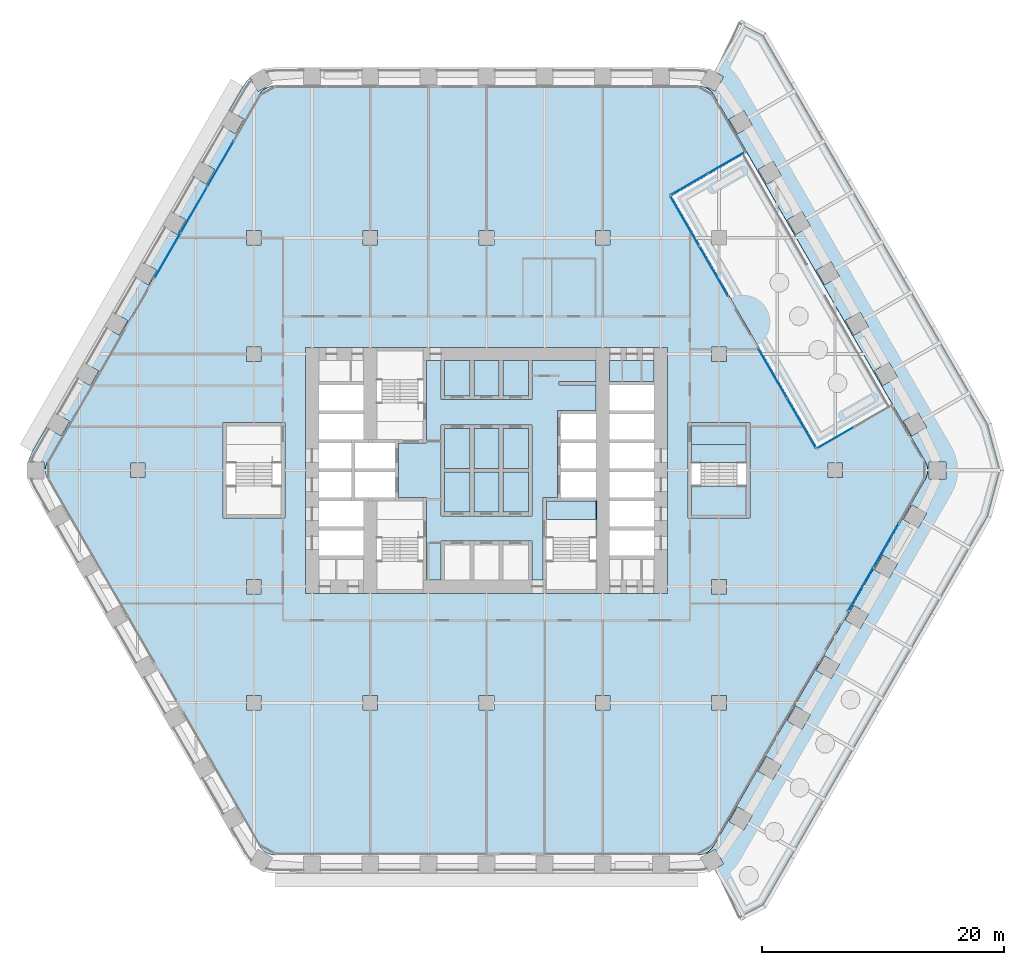
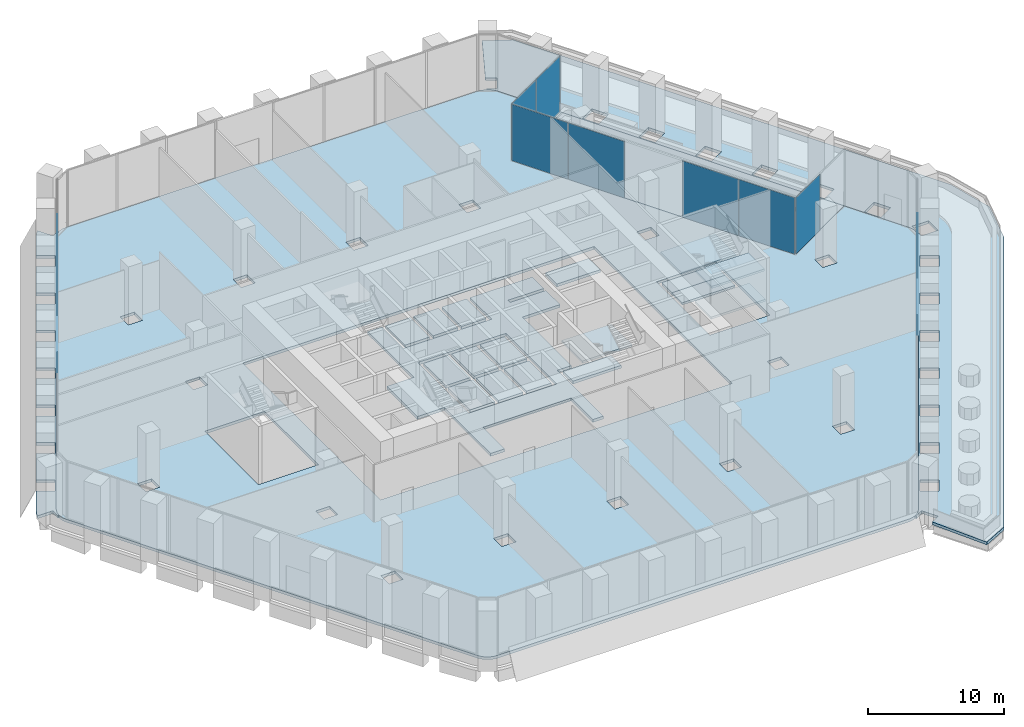
# One storey, part 18 of 32: 22 slabs, 12 plates, 8 elements without a shape of their own.
"""IFC4 building model written with IfcOpenShell, lengths in metres."""

import ifcopenshell
import ifcopenshell.guid

model = None  # the IFC model being written
_history = None  # IfcOwnerHistory: only IFC2X3 demands one
_inside = {}  # id of a spatial element -> (the spatial element, [elements in it])
_under = {}  # id of a project, library or spatial element -> (it, [spatial elements below it])
_declared = {}  # id of a project -> (the project, [libraries it declares])
_typed = {}  # id of a type object -> (the type object, [elements of that type])
_made_of = {}  # id of a material, layer set ... -> (it, [elements and type objects made of it])


def new_model(schema):
    """Start an empty IFC model of exactly this schema.

    Asked for "IFC4X3", IfcOpenShell would pick the latest addendum, in which some entities
    have other attributes; the version numbers below select the first issue.
    IFC2X3 requires an IfcOwnerHistory on every rooted entity: one is made here for all.
    """
    global model, _history
    if schema == "IFC4X3":
        model = ifcopenshell.file(schema_version=(4, 3, 0, 0))
    else:
        model = ifcopenshell.file(schema=schema)
    _inside.clear()
    _under.clear()
    _declared.clear()
    _typed.clear()
    _made_of.clear()
    _history = None
    if model.schema == "IFC2X3":
        org = make("IfcOrganization", Name="unknown")
        user = make(
            "IfcPersonAndOrganization",
            ThePerson=make("IfcPerson", FamilyName="unknown"),
            TheOrganization=org,
        )
        app = make(
            "IfcApplication",
            ApplicationDeveloper=org,
            Version="unknown",
            ApplicationFullName="unknown",
            ApplicationIdentifier="unknown",
        )
        _history = make(
            "IfcOwnerHistory",
            OwningUser=user,
            OwningApplication=app,
            ChangeAction="ADDED",
            CreationDate=0,
        )
    return model


def make(cls, **values):
    """One entity of the class cls with the attributes given. An attribute that is None is left unset."""
    return model.create_entity(
        cls, **{name: value for name, value in values.items() if value is not None}
    )


def rooted(cls, **values):
    """An entity with a GlobalId (a new one), such as an element, a storey or a relation."""
    return make(cls, GlobalId=ifcopenshell.guid.new(), OwnerHistory=_history, **values)


def si_unit(unit_type, name, prefix=None):
    """IfcSIUnit, for example si_unit("LENGTHUNIT", "METRE", prefix="MILLI")."""
    return make("IfcSIUnit", UnitType=unit_type, Prefix=prefix, Name=name)


def assignment(units):
    """IfcUnitAssignment: the units of a project."""
    return None if units is None else make("IfcUnitAssignment", Units=units)


def point(xyz):
    """IfcCartesianPoint."""
    return None if xyz is None else make("IfcCartesianPoint", Coordinates=xyz)


def direction(xyz):
    """IfcDirection."""
    return None if xyz is None else make("IfcDirection", DirectionRatios=xyz)


def frame(location, z_axis=None, x_axis=None):
    """IfcAxis2Placement3D, a coordinate frame: its origin and axes. An axis left out is left unset."""
    return make(
        "IfcAxis2Placement3D",
        Location=point(location),
        Axis=direction(z_axis),
        RefDirection=direction(x_axis),
    )


def frame_2d(location, x_axis=None):
    """IfcAxis2Placement2D, a coordinate frame in the plane: its origin and x axis."""
    return make(
        "IfcAxis2Placement2D", Location=point(location), RefDirection=direction(x_axis)
    )


def origin():
    """The frame at (0, 0, 0) with its axes left unset."""
    return frame((0.0, 0.0, 0.0))


def origin_2d():
    """The frame at (0, 0) in the plane with its x axis left unset."""
    return frame_2d((0.0, 0.0))


def place(relative_to, where):
    """IfcLocalPlacement: puts the frame where relative to a parent placement (None: the world)."""
    return make(
        "IfcLocalPlacement", PlacementRelTo=relative_to, RelativePlacement=where
    )


def context(
    kind, dimensions, precision=None, world=None, true_north=None, identifier=None
):
    """IfcGeometricRepresentationContext, for example the 3D "Model" context."""
    return make(
        "IfcGeometricRepresentationContext",
        ContextIdentifier=identifier,
        ContextType=kind,
        CoordinateSpaceDimension=dimensions,
        Precision=precision,
        WorldCoordinateSystem=world,
        TrueNorth=true_north,
    )


def subcontext(parent, identifier, kind, view, scale=None):
    """IfcGeometricRepresentationSubContext, for example "Body" below "Model"."""
    return make(
        "IfcGeometricRepresentationSubContext",
        ContextIdentifier=identifier,
        ContextType=kind,
        ParentContext=parent,
        TargetScale=scale,
        TargetView=view,
    )


def project(units=None, contexts=None):
    """IfcProject with its units and contexts."""
    return rooted(
        "IfcProject",
        Name="project",
        RepresentationContexts=contexts,
        UnitsInContext=assignment(units),
    )


def spatial(cls, under=None, at=None, **own):
    """A site, building, storey or space (cls), placed at a placement, below another one or the project."""
    s = rooted(cls, ObjectPlacement=at, **own)
    if under is not None:
        _under.setdefault(under.id(), (under, []))[1].append(s)
    return s


def polyline(points):
    """IfcPolyline through the points."""
    return make("IfcPolyline", Points=[point(p) for p in points])


def profile(cls, at=None, kind="AREA", **sizes):
    """A parametric profile (cls). Its sizes go by their IFC names, for example OverallWidth=200.0."""
    return make(cls, ProfileType=kind, Position=at, **sizes)


def rectangle(**sizes):
    """IfcRectangleProfileDef."""
    return profile("IfcRectangleProfileDef", **sizes)


def outline(outer, holes=None, kind="AREA"):
    """IfcArbitraryClosedProfileDef: a profile drawn as a closed curve; with holes, ...WithVoids."""
    if holes is None:
        return make("IfcArbitraryClosedProfileDef", ProfileType=kind, OuterCurve=outer)
    return make(
        "IfcArbitraryProfileDefWithVoids",
        ProfileType=kind,
        OuterCurve=outer,
        InnerCurves=holes,
    )


def extrude(swept, where, along, depth):
    """IfcExtrudedAreaSolid: the profile swept, set in the frame where, extruded along a direction by depth."""
    return make(
        "IfcExtrudedAreaSolid",
        SweptArea=swept,
        Position=where,
        ExtrudedDirection=direction(along),
        Depth=depth,
    )


def shape(context_of_items, identifier, shape_type, items):
    """IfcShapeRepresentation: the items that make up one representation, for example the "Body"."""
    return make(
        "IfcShapeRepresentation",
        ContextOfItems=context_of_items,
        RepresentationIdentifier=identifier,
        RepresentationType=shape_type,
        Items=items,
    )


def material(Name=None, Category=None):
    """IfcMaterial."""
    return make("IfcMaterial", Name=Name, Category=Category)


def layer(
    of_material, thickness, ventilated=None, Name=None, Category=None, Priority=None
):
    """IfcMaterialLayer: one layer of a wall or slab, of a material (None: an air gap)."""
    return make(
        "IfcMaterialLayer",
        Material=of_material,
        LayerThickness=thickness,
        IsVentilated=ventilated,
        Name=Name,
        Category=Category,
        Priority=Priority,
    )


def layer_set(layers, Name=None):
    """IfcMaterialLayerSet."""
    return make("IfcMaterialLayerSet", MaterialLayers=layers, LayerSetName=Name)


def made_of(thing, what):
    """Note that an element or type object is made of a material, layer set ...; save() writes the relation."""
    if what is not None:
        _made_of.setdefault(what.id(), (what, []))[1].append(thing)
    return thing


def type_object(cls, material=None, **own):
    """A type object (cls), such as IfcWallType, which elements share."""
    return made_of(rooted(cls, **own), material)


def element(
    cls,
    number,
    at=None,
    inside=None,
    cuts=None,
    type_object=None,
    material=None,
    context=None,
    identifier="Body",
    shape_type=None,
    held_by="IfcProductDefinitionShape",
    body=None,
    shapes=None,
    **own,
):
    """One element of the class cls, such as IfcWall. Its Tag is "e" and its number.

    at: its placement. inside: the storey or other place that contains it. cuts: it is an
    opening in that element (IfcRelVoidsElement). A single representation is given by context,
    identifier, shape_type and body (its items); several are given by shapes. held_by: the class
    of the entity that holds the representations. save() writes the other relations.
    """
    e = rooted(cls, Tag="e%d" % number, ObjectPlacement=at, **own)
    if body is not None:
        shapes = [shape(context, identifier, shape_type, body)]
    if shapes is not None:
        e.Representation = make(held_by, Representations=shapes)
    if inside is not None:
        _inside.setdefault(inside.id(), (inside, []))[1].append(e)
    if cuts is not None:
        rooted(
            "IfcRelVoidsElement", RelatingBuildingElement=cuts, RelatedOpeningElement=e
        )
    if type_object is not None:
        _typed.setdefault(type_object.id(), (type_object, []))[1].append(e)
    return made_of(e, material)


def aggregate(whole, parts):
    """IfcRelAggregates: a whole, such as a stair, and the parts it consists of."""
    return rooted("IfcRelAggregates", RelatingObject=whole, RelatedObjects=parts)


def save(model, path):
    """Write the relations noted so far, then the file.

    IfcRelAggregates (storeys below a building ...), IfcRelContainedInSpatialStructure (elements
    in a storey), IfcRelDefinesByType, IfcRelAssociatesMaterial and IfcRelDeclares: one each for
    every whole, place, type object, material and project.
    """
    for whole, parts in _under.values():
        aggregate(whole, parts)
    for where, things in _inside.values():
        rooted(
            "IfcRelContainedInSpatialStructure",
            RelatedElements=things,
            RelatingStructure=where,
        )
    for kind, things in _typed.values():
        rooted("IfcRelDefinesByType", RelatedObjects=things, RelatingType=kind)
    for what, things in _made_of.values():
        rooted("IfcRelAssociatesMaterial", RelatedObjects=things, RelatingMaterial=what)
    for by, libraries in _declared.values():
        rooted("IfcRelDeclares", RelatingContext=by, RelatedDefinitions=libraries)
    model.write(path)


model = new_model("IFC4")

# Units and contexts
model_context = context("Model", 3, precision=1e-05, world=origin(), true_north=direction((0.0, 1.0)))
body_context = subcontext(model_context, "Body", "Model", "MODEL_VIEW")
ifc_project = project(units=[si_unit("LENGTHUNIT", "METRE"), si_unit("AREAUNIT", "SQUARE_METRE"), si_unit("VOLUMEUNIT", "CUBIC_METRE"), si_unit("PLANEANGLEUNIT", "RADIAN"), si_unit("MASSUNIT", "GRAM", prefix="KILO")], contexts=[model_context])

# Site, building, storey
site_placement = place(None, origin())
site = spatial("IfcSite", under=ifc_project, at=site_placement, CompositionType="ELEMENT")
building_placement = place(site_placement, origin())
building = spatial("IfcBuilding", under=site, at=building_placement, Name="Kolab Exchange Tower", CompositionType="ELEMENT")
storey_placement = place(building_placement, frame((0.0, 0.0, 60.89990234375)))
storey = spatial("IfcBuildingStorey", under=building, at=storey_placement, Name="L11", CompositionType="ELEMENT", Elevation=60.89990234375)

# Slabs
ifc_material_1 = material(Name="Concrete C35/45", Category="concrete")
ifc_layer_1 = layer(ifc_material_1, 0.25)
ifc_layer_set_1 = layer_set([ifc_layer_1], Name="Concrete C35/45")
slab_type_1 = type_object("IfcSlabType", Name="FLOOR SLAB 250", PredefinedType="FLOOR", material=ifc_layer_set_1)
slab_1_placement = place(storey_placement, frame((0.0, 0.0, -0.25)))
element("IfcSlab", 1, at=slab_1_placement, inside=storey, type_object=slab_type_1, Name="slab/L11/floor/0", PredefinedType="FLOOR", context=body_context, shape_type="SweptSolid", body=[
    extrude(outline(polyline([(36.23486328125, 0.75), (33.5009765625, 5.4853515625), (27.265625, 1.885498046875), (15.265625, 22.669921875), (21.5009765625, 26.27001953125), (18.76708984375, 31.00537109375), (18.616943359375, 31.219482421875), (18.43212890625, 31.404541015625), (18.218017578125, 31.554443359375), (17.98095703125, 31.664794921875), (17.728515625, 31.732666015625), (17.468017578125, 31.75537109375), (-17.468017578125, 31.75537109375), (-17.728515625, 31.732666015625), (-17.98095703125, 31.664794921875), (-18.218017578125, 31.554443359375), (-18.43212890625, 31.404541015625), (-18.616943359375, 31.219482421875), (-18.76708984375, 31.00537109375), (-36.23486328125, 0.75), (-36.345458984375, 0.512939453125), (-36.4130859375, 0.260498046875), (-36.435791015625, 0.0), (-36.4130859375, -0.260498046875), (-36.345458984375, -0.512939453125), (-36.23486328125, -0.75), (-18.76708984375, -31.00537109375), (-18.616943359375, -31.219482421875), (-18.43212890625, -31.404541015625), (-18.218017578125, -31.554443359375), (-17.98095703125, -31.664794921875), (-17.728515625, -31.732666015625), (-17.468017578125, -31.75537109375), (17.468017578125, -31.75537109375), (17.728515625, -31.732666015625), (17.98095703125, -31.664794921875), (18.218017578125, -31.554443359375), (18.43212890625, -31.404541015625), (18.616943359375, -31.219482421875), (18.76708984375, -31.00537109375), (36.23486328125, -0.75), (36.345458984375, -0.512939453125), (36.4130859375, -0.260498046875), (36.435791015625, 0.0), (36.4130859375, 0.260498046875), (36.345458984375, 0.512939453125), (36.23486328125, 0.75)]), holes=[polyline([(-19.800048828125, -18.60009765625), (-18.60009765625, -18.60009765625), (-18.60009765625, -19.800048828125), (-19.800048828125, -19.800048828125), (-19.800048828125, -18.60009765625)]), polyline([(-18.60009765625, -9.0), (-18.60009765625, -10.199951171875), (-19.800048828125, -10.199951171875), (-19.800048828125, -9.0), (-18.60009765625, -9.0)]), polyline([(-21.75, -3.949951171875), (-21.75, 3.949951171875), (-21.449951171875, 3.949951171875), (-16.949951171875, 3.949951171875), (-16.64990234375, 3.949951171875), (-16.64990234375, -3.949951171875), (-16.949951171875, -3.949951171875), (-21.449951171875, -3.949951171875), (-21.75, -3.949951171875)]), polyline([(-14.949951171875, 10.14990234375), (-13.85009765625, 10.14990234375), (-10.14990234375, 10.14990234375), (-9.050048828125, 10.14990234375), (-5.25, 10.14990234375), (9.050048828125, 10.14990234375), (10.14990234375, 10.14990234375), (13.85009765625, 10.14990234375), (14.949951171875, 10.14990234375), (14.949951171875, -10.14990234375), (13.85009765625, -10.14990234375), (10.14990234375, -10.14990234375), (9.050048828125, -10.14990234375), (4.949951171875, -10.14990234375), (-5.25, -10.14990234375), (-9.050048828125, -10.14990234375), (-10.14990234375, -10.14990234375), (-13.85009765625, -10.14990234375), (-14.949951171875, -10.14990234375), (-14.949951171875, 10.14990234375)]), polyline([(-28.199951171875, 0.60009765625), (-28.199951171875, -0.60009765625), (-29.39990234375, -0.60009765625), (-29.39990234375, 0.60009765625), (-28.199951171875, 0.60009765625)]), polyline([(-18.60009765625, 10.199951171875), (-18.60009765625, 9.0), (-19.800048828125, 9.0), (-19.800048828125, 10.199951171875), (-18.60009765625, 10.199951171875)]), polyline([(-19.800048828125, 19.800048828125), (-18.60009765625, 19.800048828125), (-18.60009765625, 18.60009765625), (-19.800048828125, 18.60009765625), (-19.800048828125, 19.800048828125)]), polyline([(-9.0, -18.60009765625), (-9.0, -19.800048828125), (-10.199951171875, -19.800048828125), (-10.199951171875, -18.60009765625), (-9.0, -18.60009765625)]), polyline([(-9.0, 19.800048828125), (-9.0, 18.60009765625), (-10.199951171875, 18.60009765625), (-10.199951171875, 19.800048828125), (-9.0, 19.800048828125)]), polyline([(0.60009765625, -18.60009765625), (0.60009765625, -19.800048828125), (-0.60009765625, -19.800048828125), (-0.60009765625, -18.60009765625), (0.60009765625, -18.60009765625)]), polyline([(0.60009765625, 19.800048828125), (0.60009765625, 18.60009765625), (-0.60009765625, 18.60009765625), (-0.60009765625, 19.800048828125), (0.60009765625, 19.800048828125)]), polyline([(10.199951171875, -18.60009765625), (10.199951171875, -19.800048828125), (9.0, -19.800048828125), (9.0, -18.60009765625), (10.199951171875, -18.60009765625)]), polyline([(9.0, 19.800048828125), (10.199951171875, 19.800048828125), (10.199951171875, 18.60009765625), (9.0, 18.60009765625), (9.0, 19.800048828125)]), polyline([(19.800048828125, -18.60009765625), (19.800048828125, -19.800048828125), (18.60009765625, -19.800048828125), (18.60009765625, -18.60009765625), (19.800048828125, -18.60009765625)]), polyline([(19.800048828125, -9.0), (19.800048828125, -10.199951171875), (18.60009765625, -10.199951171875), (18.60009765625, -9.0), (19.800048828125, -9.0)]), polyline([(16.949951171875, -3.949951171875), (16.64990234375, -3.949951171875), (16.64990234375, 3.949951171875), (16.949951171875, 3.949951171875), (21.449951171875, 3.949951171875), (21.75, 3.949951171875), (21.75, -3.949951171875), (21.449951171875, -3.949951171875), (16.949951171875, -3.949951171875)]), polyline([(29.39990234375, 0.60009765625), (29.39990234375, -0.60009765625), (28.199951171875, -0.60009765625), (28.199951171875, 0.60009765625), (29.39990234375, 0.60009765625)]), polyline([(18.60009765625, 10.199951171875), (19.800048828125, 10.199951171875), (19.800048828125, 9.0), (18.60009765625, 9.0), (18.60009765625, 10.199951171875)])]), origin(), (0.0, 0.0, 1.0), 0.25),
])
slab_2_placement = place(storey_placement, frame((0.0, 0.0, -0.25)))
element("IfcSlab", 2, at=slab_2_placement, inside=storey, type_object=slab_type_1, Name="slab/L11/floor/1", PredefinedType="FLOOR", context=body_context, shape_type="SweptSolid", body=[
    extrude(outline(polyline([(-5.25, 2.25), (-7.25, 2.25), (-7.25, -2.25), (-5.25, -2.25), (-4.949951171875, -2.25), (-4.949951171875, -9.050048828125), (-3.75, -9.050048828125), (-3.75, -5.85009765625), (-3.449951171875, -5.85009765625), (-1.35009765625, -5.85009765625), (-1.050048828125, -5.85009765625), (1.050048828125, -5.85009765625), (1.35009765625, -5.85009765625), (3.449951171875, -5.85009765625), (3.75, -5.85009765625), (3.75, -9.050048828125), (4.64990234375, -9.050048828125), (4.64990234375, -2.25), (4.949951171875, -2.25), (5.85009765625, -2.25), (5.85009765625, 4.949951171875), (6.14990234375, 4.949951171875), (9.050048828125, 4.949951171875), (9.050048828125, 7.050048828125), (6.0, 7.050048828125), (6.0, 7.35009765625), (9.050048828125, 7.35009765625), (9.050048828125, 9.050048828125), (3.75, 9.050048828125), (3.75, 5.85009765625), (3.449951171875, 5.85009765625), (1.35009765625, 5.85009765625), (1.050048828125, 5.85009765625), (-1.050048828125, 5.85009765625), (-1.35009765625, 5.85009765625), (-3.449951171875, 5.85009765625), (-3.75, 5.85009765625), (-3.75, 9.050048828125), (-4.949951171875, 9.050048828125), (-4.949951171875, 2.25), (-5.25, 2.25)]), holes=[polyline([(-1.35009765625, 3.75), (-1.050048828125, 3.75), (1.050048828125, 3.75), (1.35009765625, 3.75), (3.449951171875, 3.75), (3.75, 3.75), (3.75, -3.75), (3.449951171875, -3.75), (1.35009765625, -3.75), (1.050048828125, -3.75), (-1.050048828125, -3.75), (-1.35009765625, -3.75), (-3.449951171875, -3.75), (-3.75, -3.75), (-3.75, 3.75), (-3.449951171875, 3.75), (-1.35009765625, 3.75)])]), origin(), (0.0, 0.0, 1.0), 0.25),
])
slab_3_placement = place(storey_placement, frame((0.0, 0.0, -0.25)))
element("IfcSlab", 3, at=slab_3_placement, inside=storey, type_object=slab_type_1, Name="slab/L11/floor/2", PredefinedType="FLOOR", context=body_context, shape_type="SweptSolid", body=[
    extrude(outline(polyline([(-3.449951171875, -3.449951171875), (-1.35009765625, -3.449951171875), (-1.35009765625, -0.14990234375), (-3.449951171875, -0.14990234375), (-3.449951171875, -3.449951171875)])), origin(), (0.0, 0.0, 1.0), 0.25),
])
slab_4_placement = place(storey_placement, frame((0.0, 0.0, -0.25)))
element("IfcSlab", 4, at=slab_4_placement, inside=storey, type_object=slab_type_1, Name="slab/L11/floor/3", PredefinedType="FLOOR", context=body_context, shape_type="SweptSolid", body=[
    extrude(outline(polyline([(-1.35009765625, 0.14990234375), (-1.35009765625, 3.449951171875), (-3.449951171875, 3.449951171875), (-3.449951171875, 0.14990234375), (-1.35009765625, 0.14990234375)])), origin(), (0.0, 0.0, 1.0), 0.25),
])
slab_5_placement = place(storey_placement, frame((0.0, 0.0, -0.25)))
element("IfcSlab", 5, at=slab_5_placement, inside=storey, type_object=slab_type_1, Name="slab/L11/floor/4", PredefinedType="FLOOR", context=body_context, shape_type="SweptSolid", body=[
    extrude(outline(polyline([(-1.050048828125, -0.14990234375), (-1.050048828125, -3.449951171875), (1.050048828125, -3.449951171875), (1.050048828125, -0.14990234375), (-1.050048828125, -0.14990234375)])), origin(), (0.0, 0.0, 1.0), 0.25),
])
slab_6_placement = place(storey_placement, frame((0.0, 0.0, -0.25)))
element("IfcSlab", 6, at=slab_6_placement, inside=storey, type_object=slab_type_1, Name="slab/L11/floor/5", PredefinedType="FLOOR", context=body_context, shape_type="SweptSolid", body=[
    extrude(outline(polyline([(-1.050048828125, 3.449951171875), (-1.050048828125, 0.14990234375), (1.050048828125, 0.14990234375), (1.050048828125, 3.449951171875), (-1.050048828125, 3.449951171875)])), origin(), (0.0, 0.0, 1.0), 0.25),
])
slab_7_placement = place(storey_placement, frame((0.0, 0.0, -0.25)))
element("IfcSlab", 7, at=slab_7_placement, inside=storey, type_object=slab_type_1, Name="slab/L11/floor/6", PredefinedType="FLOOR", context=body_context, shape_type="SweptSolid", body=[
    extrude(outline(polyline([(1.35009765625, -3.449951171875), (3.449951171875, -3.449951171875), (3.449951171875, -0.14990234375), (1.35009765625, -0.14990234375), (1.35009765625, -3.449951171875)])), origin(), (0.0, 0.0, 1.0), 0.25),
])
slab_8_placement = place(storey_placement, frame((0.0, 0.0, -0.25)))
element("IfcSlab", 8, at=slab_8_placement, inside=storey, type_object=slab_type_1, Name="slab/L11/floor/7", PredefinedType="FLOOR", context=body_context, shape_type="SweptSolid", body=[
    extrude(outline(polyline([(1.35009765625, 0.14990234375), (3.449951171875, 0.14990234375), (3.449951171875, 3.449951171875), (1.35009765625, 3.449951171875), (1.35009765625, 0.14990234375)])), origin(), (0.0, 0.0, 1.0), 0.25),
])
slab_9_placement = place(storey_placement, frame((0.0, 0.0, -0.25)))
element("IfcSlab", 9, at=slab_9_placement, inside=storey, type_object=slab_type_1, Name="slab/L11/floor/9", PredefinedType="FLOOR", context=body_context, shape_type="SweptSolid", body=[
    extrude(outline(polyline([(21.449951171875, 3.64990234375), (16.949951171875, 3.64990234375), (16.949951171875, 2.14990234375), (21.449951171875, 2.14990234375), (21.449951171875, 3.64990234375)])), origin(), (0.0, 0.0, 1.0), 0.25),
])
slab_10_placement = place(storey_placement, frame((0.0, 0.0, -0.25)))
element("IfcSlab", 10, at=slab_10_placement, inside=storey, type_object=slab_type_1, Name="slab/L11/floor/13", PredefinedType="FLOOR", context=body_context, shape_type="SweptSolid", body=[
    extrude(outline(polyline([(10.14990234375, 7.35009765625), (13.85009765625, 7.35009765625), (13.85009765625, 9.050048828125), (10.14990234375, 9.050048828125), (10.14990234375, 7.35009765625)])), origin(), (0.0, 0.0, 1.0), 0.25),
])
slab_11_placement = place(storey_placement, frame((0.0, 0.0, -0.25)))
element("IfcSlab", 11, at=slab_11_placement, inside=storey, type_object=slab_type_1, Name="slab/L11/floor/14", PredefinedType="FLOOR", context=body_context, shape_type="SweptSolid", body=[
    extrude(outline(polyline([(9.050048828125, -4.050048828125), (9.050048828125, -2.550048828125), (6.14990234375, -2.550048828125), (5.85009765625, -2.550048828125), (4.949951171875, -2.550048828125), (4.949951171875, -4.050048828125), (9.050048828125, -4.050048828125)])), origin(), (0.0, 0.0, 1.0), 0.25),
])
slab_12_placement = place(storey_placement, frame((0.0, 0.0, -0.25)))
element("IfcSlab", 12, at=slab_12_placement, inside=storey, type_object=slab_type_1, Name="slab/L11/floor/16", PredefinedType="FLOOR", context=body_context, shape_type="SweptSolid", body=[
    extrude(outline(polyline([(-1.050048828125, 9.050048828125), (-1.050048828125, 6.14990234375), (1.050048828125, 6.14990234375), (1.050048828125, 9.050048828125), (-1.050048828125, 9.050048828125)])), origin(), (0.0, 0.0, 1.0), 0.25),
])
slab_13_placement = place(storey_placement, frame((0.0, 0.0, -0.25)))
element("IfcSlab", 13, at=slab_13_placement, inside=storey, type_object=slab_type_1, Name="slab/L11/floor/18", PredefinedType="FLOOR", context=body_context, shape_type="SweptSolid", body=[
    extrude(outline(polyline([(-1.35009765625, 6.14990234375), (-1.35009765625, 9.050048828125), (-3.449951171875, 9.050048828125), (-3.449951171875, 6.14990234375), (-1.35009765625, 6.14990234375)])), origin(), (0.0, 0.0, 1.0), 0.25),
])
slab_14_placement = place(storey_placement, frame((0.0, 0.0, -0.25)))
element("IfcSlab", 14, at=slab_14_placement, inside=storey, type_object=slab_type_1, Name="slab/L11/floor/20", PredefinedType="FLOOR", context=body_context, shape_type="SweptSolid", body=[
    extrude(outline(polyline([(1.35009765625, 6.14990234375), (3.449951171875, 6.14990234375), (3.449951171875, 9.050048828125), (1.35009765625, 9.050048828125), (1.35009765625, 6.14990234375)])), origin(), (0.0, 0.0, 1.0), 0.25),
])
ifc_layer_2 = layer(ifc_material_1, 0.25)
ifc_layer_set_2 = layer_set([ifc_layer_2], Name="Concrete C35/45")
slab_type_2 = type_object("IfcSlabType", Name="LOGGIA SLAB 250", PredefinedType="FLOOR", material=ifc_layer_set_2)
slab_15_placement = place(storey_placement, frame((0.0, 0.0, -0.25)))
element("IfcSlab", 15, at=slab_15_placement, inside=storey, type_object=slab_type_2, Name="slab/L11/loggia/5-0", PredefinedType="FLOOR", context=body_context, shape_type="SweptSolid", body=[
    extrude(outline(polyline([(-18.43212890625, 31.404541015625), (-18.218017578125, 31.554443359375), (-18.26806640625, 31.64111328125), (-18.874267578125, 31.291015625), (-19.52734375, 32.42236328125), (-19.76611328125, 32.183837890625), (-20.06591796875, 31.75537109375), (-21.25, 29.70458984375), (-20.03759765625, 29.004638671875), (-20.737548828125, 27.792236328125), (-21.949951171875, 28.4921875), (-23.64990234375, 25.5478515625), (-22.4375, 24.84765625), (-23.137451171875, 23.63525390625), (-24.35009765625, 24.335205078125), (-26.050048828125, 21.390869140625), (-24.837646484375, 20.69091796875), (-25.53759765625, 19.478271484375), (-26.75, 20.178466796875), (-28.449951171875, 17.23388671875), (-27.237548828125, 16.533935546875), (-27.9375, 15.321533203125), (-29.14990234375, 16.021484375), (-30.85009765625, 13.076904296875), (-29.637451171875, 12.376953125), (-30.337646484375, 11.16455078125), (-31.550048828125, 11.864501953125), (-33.25, 8.920166015625), (-32.03759765625, 8.219970703125), (-32.737548828125, 7.007568359375), (-33.949951171875, 7.70751953125), (-35.64990234375, 4.76318359375), (-34.4375, 4.063232421875), (-35.137451171875, 2.8505859375), (-36.35009765625, 3.55078125), (-37.533935546875, 1.5), (-37.7548828125, 1.026123046875), (-37.84228515625, 0.699951171875), (-36.535888671875, 0.699951171875), (-36.535888671875, 0.0), (-36.435791015625, 0.0), (-36.4130859375, 0.260498046875), (-36.345458984375, 0.512939453125), (-36.23486328125, 0.75), (-18.76708984375, 31.00537109375), (-18.616943359375, 31.219482421875), (-18.43212890625, 31.404541015625)])), origin(), (0.0, 0.0, 1.0), 0.25),
])

# Stair, slab
ifc_material_2 = material(Name="Concrete C50/60", Category="concrete")
stair_type_1 = type_object("IfcStairType", Name="STAIR ST2 RISER 171.9", PredefinedType="DOUBLE_RETURN_STAIR", material=ifc_material_2)
stair_1_placement = place(storey_placement, origin())
stair_1 = element("IfcStair", 16, at=stair_1_placement, inside=storey, type_object=stair_type_1, Name="Stair 2", PredefinedType="DOUBLE_RETURN_STAIR")
ifc_layer_3 = layer(ifc_material_2, 0.199951171875)
ifc_layer_set_3 = layer_set([ifc_layer_3], Name="Concrete C50/60")
slab_type_3 = type_object("IfcSlabType", Name="STAIR LANDING 200", PredefinedType="LANDING", material=ifc_layer_set_3)
slab_16_placement = place(storey_placement, frame((0.0, 0.0, 2.550048828125)))
slab_16 = element("IfcSlab", 17, at=slab_16_placement, type_object=slab_type_3, Name="ST2 landing 3", PredefinedType="LANDING", context=body_context, shape_type="SweptSolid", body=[
    extrude(outline(polyline([(4.889892578125, -5.550048828125), (9.110107421875, -5.550048828125), (9.110107421875, -2.489990234375), (4.889892578125, -2.489990234375), (4.889892578125, -5.550048828125)])), origin(), (0.0, 0.0, 1.0), 0.199951171875),
])
aggregate(stair_1, [slab_16])

# Stair, slabs
stair_type_2 = type_object("IfcStairType", Name="STAIR ST4 RISER 171.9", PredefinedType="DOUBLE_RETURN_STAIR", material=ifc_material_2)
stair_2_placement = place(storey_placement, origin())
stair_2 = element("IfcStair", 18, at=stair_2_placement, inside=storey, type_object=stair_type_2, Name="Stair 4", PredefinedType="DOUBLE_RETURN_STAIR")
slab_17_placement = place(storey_placement, frame((0.0, 0.0, -0.199951171875)))
slab_17 = element("IfcSlab", 19, at=slab_17_placement, type_object=slab_type_3, Name="ST4 landing 1", PredefinedType="LANDING", context=body_context, shape_type="SweptSolid", body=[
    extrude(outline(polyline([(16.949951171875, 0.64990234375), (21.449951171875, 0.64990234375), (21.449951171875, 2.14990234375), (16.949951171875, 2.14990234375), (16.949951171875, 0.64990234375)])), origin(), (0.0, 0.0, 1.0), 0.199951171875),
])
slab_18_placement = place(storey_placement, frame((0.0, 0.0, 1.175048828125)))
slab_18 = element("IfcSlab", 20, at=slab_18_placement, type_object=slab_type_3, Name="ST4 landing 2", PredefinedType="LANDING", context=body_context, shape_type="SweptSolid", body=[
    extrude(outline(polyline([(16.889892578125, -3.7099609375), (21.510009765625, -3.7099609375), (21.510009765625, -1.31005859375), (16.889892578125, -1.31005859375), (16.889892578125, -3.7099609375)])), origin(), (0.0, 0.0, 1.0), 0.199951171875),
])
slab_19_placement = place(storey_placement, frame((0.0, 0.0, 2.550048828125)))
slab_19 = element("IfcSlab", 21, at=slab_19_placement, type_object=slab_type_3, Name="ST4 landing 3", PredefinedType="LANDING", context=body_context, shape_type="SweptSolid", body=[
    extrude(outline(polyline([(16.889892578125, 0.64990234375), (21.510009765625, 0.64990234375), (21.510009765625, 3.7099609375), (16.889892578125, 3.7099609375), (16.889892578125, 0.64990234375)])), origin(), (0.0, 0.0, 1.0), 0.199951171875),
])
slab_20_placement = place(storey_placement, frame((0.0, 0.0, 3.925048828125)))
slab_20 = element("IfcSlab", 22, at=slab_20_placement, type_object=slab_type_3, Name="ST4 landing 4", PredefinedType="LANDING", context=body_context, shape_type="SweptSolid", body=[
    extrude(outline(polyline([(16.949951171875, -3.7099609375), (21.449951171875, -3.7099609375), (21.449951171875, -1.31005859375), (16.949951171875, -1.31005859375), (16.949951171875, -3.7099609375)])), origin(), (0.0, 0.0, 1.0), 0.199951171875),
])
aggregate(stair_2, [slab_17, slab_18, slab_19, slab_20])

# Slabs
ifc_layer_4 = layer(ifc_material_1, 0.25)
ifc_layer_set_4 = layer_set([ifc_layer_4], Name="Concrete C35/45")
slab_type_4 = type_object("IfcSlabType", Name="TERRACE SLAB 250 PLANTED", PredefinedType="ROOF", material=ifc_layer_set_4)
slab_21_placement = place(storey_placement, frame((0.0, 0.0, -0.25)))
element("IfcSlab", 23, at=slab_21_placement, inside=storey, type_object=slab_type_4, Name="Roof terrace", PredefinedType="ROOF", context=body_context, shape_type="SweptSolid", body=[
    extrude(outline(polyline([(21.5009765625, 26.27001953125), (15.265625, 22.669921875), (27.265625, 1.885498046875), (33.5009765625, 5.4853515625), (21.5009765625, 26.27001953125)]), holes=[polyline([(18.60009765625, 19.800048828125), (19.800048828125, 19.800048828125), (19.800048828125, 18.60009765625), (18.60009765625, 18.60009765625), (18.60009765625, 19.800048828125)])]), origin(), (0.0, 0.0, 1.0), 0.25),
])
slab_22_placement = place(storey_placement, frame((0.0, 0.0, -0.25)))
element("IfcSlab", 24, at=slab_22_placement, inside=storey, type_object=slab_type_4, Name="Roof terrace", PredefinedType="ROOF", context=body_context, shape_type="SweptSolid", body=[
    extrude(outline(polyline([(18.14990234375, 31.586181640625), (18.2177734375, 31.554443359375), (18.218017578125, 31.554443359375), (18.218017578125, 31.55419921875), (18.431884765625, 31.404541015625), (18.43212890625, 31.404541015625), (18.432373046875, 31.404296875), (18.616943359375, 31.2197265625), (18.616943359375, 31.219482421875), (18.6171875, 31.219482421875), (18.766845703125, 31.00537109375), (18.76708984375, 31.00537109375), (36.23486328125, 0.75), (36.345458984375, 0.51318359375), (36.345458984375, 0.512939453125), (36.4130859375, 0.2607421875), (36.4130859375, 0.260498046875), (36.4130859375, 0.26025390625), (36.435791015625, 0.000244140625), (36.435791015625, 0.0), (36.435791015625, -0.000244140625), (36.4130859375, -0.26025390625), (36.4130859375, -0.260498046875), (36.4130859375, -0.2607421875), (36.345458984375, -0.512939453125), (36.345458984375, -0.51318359375), (36.23486328125, -0.75), (18.76708984375, -31.00537109375), (18.766845703125, -31.00537109375), (18.6171875, -31.219482421875), (18.616943359375, -31.219482421875), (18.616943359375, -31.2197265625), (18.432373046875, -31.404296875), (18.43212890625, -31.404541015625), (18.431884765625, -31.404541015625), (18.218017578125, -31.55419921875), (18.218017578125, -31.554443359375), (18.2177734375, -31.554443359375), (18.14990234375, -31.586181640625), (18.19873046875, -31.68115234375), (18.874267578125, -31.291015625), (19.57421875, -32.50341796875), (18.837890625, -32.928466796875), (21.021240234375, -37.1884765625), (23.081298828125, -36.1328125), (23.081298828125, -36.132568359375), (41.69091796875, -3.900146484375), (41.69091796875, -3.89990234375), (42.73583984375, 0.0), (41.69091796875, 3.89990234375), (41.69091796875, 3.900146484375), (23.081298828125, 36.132568359375), (23.081298828125, 36.1328125), (21.021240234375, 37.1884765625), (18.837890625, 32.928466796875), (19.57421875, 32.50341796875), (18.874267578125, 31.291015625), (18.19873046875, 31.68115234375), (18.14990234375, 31.586181640625)]), holes=[polyline([(20.03759765625, -29.004638671875), (20.737548828125, -27.792236328125), (21.949951171875, -28.4921875), (21.25, -29.70458984375), (20.03759765625, -29.004638671875)]), polyline([(22.4375, -24.84765625), (23.137451171875, -23.63525390625), (24.35009765625, -24.335205078125), (23.64990234375, -25.5478515625), (22.4375, -24.84765625)]), polyline([(25.53759765625, -19.478271484375), (26.75, -20.178466796875), (26.050048828125, -21.390869140625), (24.837646484375, -20.69091796875), (25.53759765625, -19.478271484375)]), polyline([(27.237548828125, -16.533935546875), (27.9375, -15.321533203125), (29.14990234375, -16.021484375), (28.449951171875, -17.23388671875), (27.237548828125, -16.533935546875)]), polyline([(30.337646484375, -11.16455078125), (31.550048828125, -11.864501953125), (30.85009765625, -13.076904296875), (29.637451171875, -12.376953125), (30.337646484375, -11.16455078125)]), polyline([(32.03759765625, -8.219970703125), (32.737548828125, -7.007568359375), (33.949951171875, -7.70751953125), (33.25, -8.920166015625), (32.03759765625, -8.219970703125)]), polyline([(35.137451171875, -2.8505859375), (36.35009765625, -3.55078125), (35.64990234375, -4.76318359375), (34.4375, -4.063232421875), (35.137451171875, -2.8505859375)]), polyline([(37.935791015625, 0.699951171875), (37.935791015625, -0.699951171875), (36.535888671875, -0.699951171875), (36.535888671875, 0.699951171875), (37.935791015625, 0.699951171875)]), polyline([(35.64990234375, 4.76318359375), (36.35009765625, 3.55078125), (35.137451171875, 2.8505859375), (34.4375, 4.063232421875), (35.64990234375, 4.76318359375)]), polyline([(32.03759765625, 8.219970703125), (33.25, 8.920166015625), (33.949951171875, 7.70751953125), (32.737548828125, 7.007568359375), (32.03759765625, 8.219970703125)]), polyline([(30.85009765625, 13.076904296875), (31.550048828125, 11.864501953125), (30.337646484375, 11.16455078125), (29.637451171875, 12.376953125), (30.85009765625, 13.076904296875)]), polyline([(28.449951171875, 17.23388671875), (29.14990234375, 16.021484375), (27.9375, 15.321533203125), (27.237548828125, 16.533935546875), (28.449951171875, 17.23388671875)]), polyline([(26.050048828125, 21.390869140625), (26.75, 20.178466796875), (25.53759765625, 19.478271484375), (24.837646484375, 20.69091796875), (26.050048828125, 21.390869140625)]), polyline([(23.64990234375, 25.5478515625), (24.35009765625, 24.335205078125), (23.137451171875, 23.63525390625), (22.4375, 24.84765625), (23.64990234375, 25.5478515625)]), polyline([(20.03759765625, 29.004638671875), (21.25, 29.70458984375), (21.949951171875, 28.4921875), (20.737548828125, 27.792236328125), (20.03759765625, 29.004638671875)])]), origin(), (0.0, 0.0, 1.0), 0.25),
])

# Curtain wall, plates
ifc_material_3 = material(Name="Aluminium EN AW-6063 T6", Category="aluminium")
curtain_wall_type = type_object("IfcCurtainWallType", Name="UNITISED LOW ZONE CURTAIN WALL", PredefinedType="NOTDEFINED", material=ifc_material_3)
curtain_wall_1_placement = place(storey_placement, origin())
curtain_wall_1 = element("IfcCurtainWall", 25, at=curtain_wall_1_placement, inside=storey, type_object=curtain_wall_type, Name="cw/L11/F2-rl-1", PredefinedType="NOTDEFINED")
ifc_material_4 = material(Name="Clear insulated glazing unit", Category="glass")
ifc_layer_5 = layer(ifc_material_4, 0.02392578125)
ifc_layer_set_5 = layer_set([ifc_layer_5], Name="Clear insulated glazing unit")
plate_type = type_object("IfcPlateType", Name="UNITISED LOW ZONE GLASS PANEL 24", PredefinedType="CURTAIN_PANEL", material=ifc_layer_set_5)
plate_1_placement = place(storey_placement, frame((19.81982421875, 25.391845703125, 0.06005859375), z_axis=(0.0, 0.0, 1.0), x_axis=(-0.866025407005, -0.499999994423, 0.0)))
plate_1 = element("IfcPlate", 26, at=plate_1_placement, type_object=plate_type, Name="CW1 panel 1.1", PredefinedType="CURTAIN_PANEL", context=body_context, shape_type="SweptSolid", body=[
    extrude(rectangle(XDim=3.510009765625, YDim=0.02392578125, at=origin_2d()), origin(), (0.0, 0.0, 1.0), 5.080078125),
])
plate_2_placement = place(storey_placement, frame((16.72802734375, 23.606689453125, 0.06005859375), z_axis=(0.0, 0.0, 1.0), x_axis=(-0.866025407005, -0.499999994423, 0.0)))
plate_2 = element("IfcPlate", 27, at=plate_2_placement, type_object=plate_type, Name="CW1 panel 2.1", PredefinedType="CURTAIN_PANEL", context=body_context, shape_type="SweptSolid", body=[
    extrude(rectangle(XDim=3.510009765625, YDim=0.02392578125, at=origin_2d()), origin(), (0.0, 0.0, 1.0), 5.080078125),
])
aggregate(curtain_wall_1, [plate_1, plate_2])

curtain_wall_2_placement = place(storey_placement, origin())
curtain_wall_2 = element("IfcCurtainWall", 28, at=curtain_wall_2_placement, inside=storey, type_object=curtain_wall_type, Name="cw/L11/F2-back-1", PredefinedType="NOTDEFINED")
plate_3_placement = place(storey_placement, frame((16.371826171875, 20.593994140625, 0.06005859375), z_axis=(0.0, 0.0, 1.0), x_axis=(0.49999997769, -0.866025416665, 0.0)))
plate_3 = element("IfcPlate", 29, at=plate_3_placement, type_object=plate_type, Name="CW1 panel 1.1", PredefinedType="CURTAIN_PANEL", context=body_context, shape_type="SweptSolid", body=[
    extrude(rectangle(XDim=4.741943359375, YDim=0.02392578125, at=origin_2d()), origin(), (0.0, 0.0, 1.0), 5.080078125),
])
plate_4_placement = place(storey_placement, frame((18.772705078125, 16.435302734375, 0.06005859375), z_axis=(0.0, 0.0, 1.0), x_axis=(0.49999997769, -0.866025416665, 0.0)))
plate_4 = element("IfcPlate", 30, at=plate_4_placement, type_object=plate_type, Name="CW1 panel 2.1", PredefinedType="CURTAIN_PANEL", context=body_context, shape_type="SweptSolid", body=[
    extrude(rectangle(XDim=4.741943359375, YDim=0.02392578125, at=origin_2d()), origin(), (0.0, 0.0, 1.0), 5.080078125),
])
aggregate(curtain_wall_2, [plate_3, plate_4])

curtain_wall_3_placement = place(storey_placement, origin())
curtain_wall_3 = element("IfcCurtainWall", 31, at=curtain_wall_3_placement, inside=storey, type_object=curtain_wall_type, Name="cw/L11/F2-back-2", PredefinedType="NOTDEFINED")
plate_5_placement = place(storey_placement, frame((23.619873046875, 8.0400390625, 0.06005859375), z_axis=(0.0, 0.0, 1.0), x_axis=(0.49999997769, -0.866025416665, 0.0)))
plate_5 = element("IfcPlate", 32, at=plate_5_placement, type_object=plate_type, Name="CW1 panel 1.1", PredefinedType="CURTAIN_PANEL", context=body_context, shape_type="SweptSolid", body=[
    extrude(rectangle(XDim=4.741943359375, YDim=0.02392578125, at=origin_2d()), origin(), (0.0, 0.0, 1.0), 5.080078125),
])
plate_6_placement = place(storey_placement, frame((26.020751953125, 3.88134765625, 0.06005859375), z_axis=(0.0, 0.0, 1.0), x_axis=(0.49999997769, -0.866025416665, 0.0)))
plate_6 = element("IfcPlate", 33, at=plate_6_placement, type_object=plate_type, Name="CW1 panel 2.1", PredefinedType="CURTAIN_PANEL", context=body_context, shape_type="SweptSolid", body=[
    extrude(rectangle(XDim=4.741943359375, YDim=0.02392578125, at=origin_2d()), origin(), (0.0, 0.0, 1.0), 5.080078125),
])
aggregate(curtain_wall_3, [plate_5, plate_6])

# Curtain wall, plate
curtain_wall_4_placement = place(storey_placement, origin())
curtain_wall_4 = element("IfcCurtainWall", 34, at=curtain_wall_4_placement, inside=storey, type_object=curtain_wall_type, Name="cw/L11/F2-rr-1", PredefinedType="NOTDEFINED")
plate_7_placement = place(storey_placement, frame((28.80810546875, 2.68359375, 0.06005859375), z_axis=(0.0, 0.0, 1.0), x_axis=(0.866025407005, 0.499999994423, 0.0)))
plate_7 = element("IfcPlate", 35, at=plate_7_placement, type_object=plate_type, Name="CW1 panel 1.1", PredefinedType="CURTAIN_PANEL", context=body_context, shape_type="SweptSolid", body=[
    extrude(rectangle(XDim=3.510009765625, YDim=0.02392578125, at=origin_2d()), origin(), (0.0, 0.0, 1.0), 5.080078125),
])
aggregate(curtain_wall_4, [plate_7])

# Curtain wall, plates
curtain_wall_5_placement = place(storey_placement, origin())
curtain_wall_5 = element("IfcCurtainWall", 36, at=curtain_wall_5_placement, inside=storey, type_object=curtain_wall_type, Name="cw/L11/F3-1", PredefinedType="NOTDEFINED")
plate_8_placement = place(storey_placement, frame((32.998779296875, -6.1953125, 0.06005859375), z_axis=(0.0, 0.0, 1.0), x_axis=(-0.499999958358, -0.866025427826, 0.0)))
plate_8 = element("IfcPlate", 37, at=plate_8_placement, type_object=plate_type, Name="CW1 panel 2.1", PredefinedType="CURTAIN_PANEL", context=body_context, shape_type="SweptSolid", body=[
    extrude(rectangle(XDim=4.16259765625, YDim=0.02392578125, at=origin_2d()), origin(), (0.0, 0.0, 1.0), 5.080078125),
])
plate_9_placement = place(storey_placement, frame((30.894775390625, -9.83935546875, 0.06005859375), z_axis=(0.0, 0.0, 1.0), x_axis=(-0.499999958358, -0.866025427826, 0.0)))
plate_9 = element("IfcPlate", 38, at=plate_9_placement, type_object=plate_type, Name="CW1 panel 3.1", PredefinedType="CURTAIN_PANEL", context=body_context, shape_type="SweptSolid", body=[
    extrude(rectangle(XDim=4.132568359375, YDim=0.02392578125, at=origin_2d()), origin(), (0.0, 0.0, 1.0), 5.080078125),
])
aggregate(curtain_wall_5, [plate_8, plate_9])

curtain_wall_6_placement = place(storey_placement, origin())
curtain_wall_6 = element("IfcCurtainWall", 39, at=curtain_wall_6_placement, inside=storey, type_object=curtain_wall_type, Name="cw/L11/F6-2", PredefinedType="NOTDEFINED")
plate_10_placement = place(storey_placement, frame((-26.33251953125, 17.74169921875, 0.06005859375), z_axis=(0.0, 0.0, 1.0), x_axis=(0.5000000112, 0.866025397318, 0.0)))
plate_10 = element("IfcPlate", 40, at=plate_10_placement, type_object=plate_type, Name="CW1 panel 1.1", PredefinedType="CURTAIN_PANEL", context=body_context, shape_type="SweptSolid", body=[
    extrude(rectangle(XDim=4.277099609375, YDim=0.02392578125, at=origin_2d()), origin(), (0.0, 0.0, 1.0), 5.080078125),
])
plate_11_placement = place(storey_placement, frame((-24.156494140625, 21.510498046875, 0.06005859375), z_axis=(0.0, 0.0, 1.0), x_axis=(0.5000000112, 0.866025397318, 0.0)))
plate_11 = element("IfcPlate", 41, at=plate_11_placement, type_object=plate_type, Name="CW1 panel 2.1", PredefinedType="CURTAIN_PANEL", context=body_context, shape_type="SweptSolid", body=[
    extrude(rectangle(XDim=4.306884765625, YDim=0.02392578125, at=origin_2d()), origin(), (0.0, 0.0, 1.0), 5.080078125),
])
plate_12_placement = place(storey_placement, frame((-21.972900390625, 25.29248046875, 0.06005859375), z_axis=(0.0, 0.0, 1.0), x_axis=(0.5000000112, 0.866025397318, 0.0)))
plate_12 = element("IfcPlate", 42, at=plate_12_placement, type_object=plate_type, Name="CW1 panel 3.1", PredefinedType="CURTAIN_PANEL", context=body_context, shape_type="SweptSolid", body=[
    extrude(rectangle(XDim=4.306884765625, YDim=0.02392578125, at=origin_2d()), origin(), (0.0, 0.0, 1.0), 5.080078125),
])
aggregate(curtain_wall_6, [plate_10, plate_11, plate_12])

save(model, "model.ifc")
